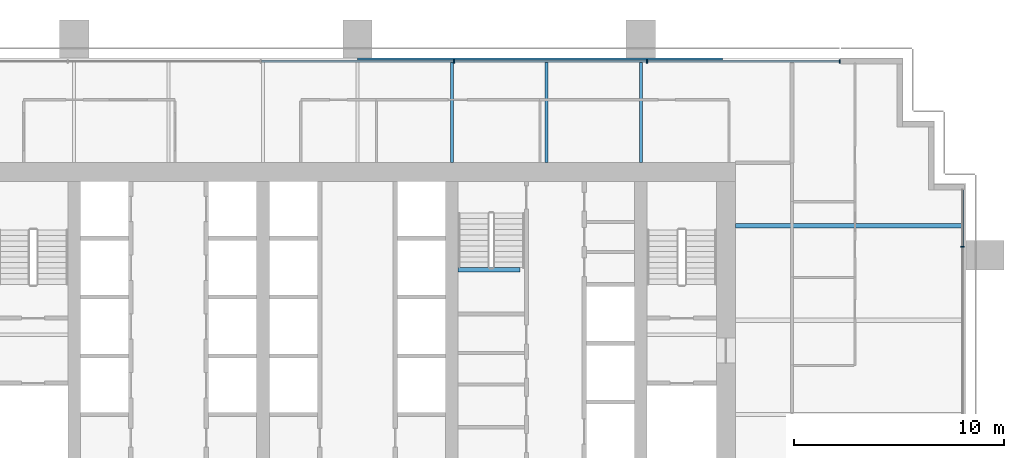
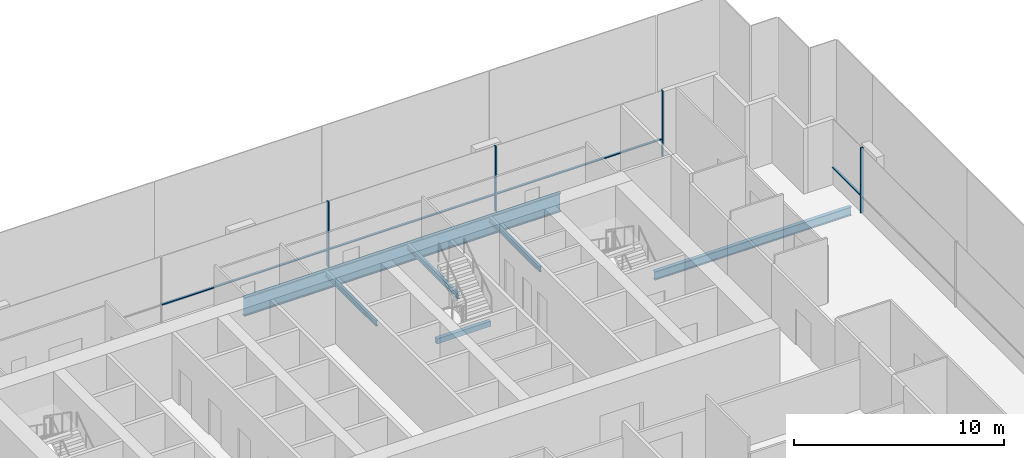
# One storey, part 8 of 17: 8 members, 6 beams, 2 elements without a shape of their own.
"""IFC4 building model written with IfcOpenShell, lengths in metres."""

from ifc_helpers import new_model, si_unit, direction, frame, origin, origin_2d, place, context, subcontext, project, spatial, rectangle, i_section, extrude, material, material_profile, profile_set, type_object, element, aggregate, save


model = new_model("IFC4")

# Units and contexts
model_context = context("Model", 3, precision=1e-05, world=origin(), true_north=direction((0.0, 1.0)))
body_context = subcontext(model_context, "Body", "Model", "MODEL_VIEW")
ifc_project = project(units=[si_unit("LENGTHUNIT", "METRE"), si_unit("AREAUNIT", "SQUARE_METRE"), si_unit("VOLUMEUNIT", "CUBIC_METRE"), si_unit("PLANEANGLEUNIT", "RADIAN"), si_unit("MASSUNIT", "GRAM", prefix="KILO")], contexts=[model_context])

# Site, building, storey
site_placement = place(None, origin())
site = spatial("IfcSite", under=ifc_project, at=site_placement, CompositionType="ELEMENT")
building_placement = place(site_placement, origin())
building = spatial("IfcBuilding", under=site, at=building_placement, Name="Rattan Terrace Tower", CompositionType="ELEMENT")
storey_placement = place(building_placement, frame((0.0, 0.0, 126.10009765625)))
storey = spatial("IfcBuildingStorey", under=building, at=storey_placement, Name="L28", CompositionType="ELEMENT", Elevation=126.10009765625)

# Beam
ifc_material_1 = material(Name="Concrete C40/50", Category="concrete")
ifc_material_profile_1 = material_profile(ifc_material_1, rectangle(XDim=0.199951171875, YDim=0.300048828125, at=origin_2d()), Name="RC 200x300")
ifc_profile_set_1 = profile_set([ifc_material_profile_1], Name="Concrete C40/50")
beam_type_1 = type_object("IfcBeamType", Name="Core landing beam RC 200x300", PredefinedType="BEAM", material=ifc_profile_set_1)
beam_1_placement = place(storey_placement, frame((4.800048828125, 2.39990234375, 1.64990234375), z_axis=(1.0, 0.0, 0.0), x_axis=(0.0, 1.0, 0.0)))
element("IfcBeam", 1, at=beam_1_placement, inside=storey, type_object=beam_type_1, Name="st-S3-L28 landing 1 edge beam", PredefinedType="BEAM", context=body_context, shape_type="SweptSolid", body=[
    extrude(rectangle(XDim=0.199951171875, YDim=0.300048828125, at=origin_2d()), origin(), (0.0, 0.0, 1.0), 2.949951171875),
])

# Curtain wall, member
ifc_material_2 = material(Name="Aluminium and glass", Category="aluminium")
curtain_wall_type = type_object("IfcCurtainWallType", Name="Facade Unitised Curtain Wall", PredefinedType="NOTDEFINED", material=ifc_material_2)
curtain_wall_1_placement = place(storey_placement, origin())
curtain_wall_1 = element("IfcCurtainWall", 2, at=curtain_wall_1_placement, inside=storey, type_object=curtain_wall_type, Name="Curtain wall L28-1", PredefinedType="NOTDEFINED")
ifc_material_3 = material(Name="Aluminium", Category="aluminium")
ifc_material_profile_2 = material_profile(ifc_material_3, rectangle(XDim=0.06005859375, YDim=0.159912109375, at=origin_2d()), Name="Aluminium 60x160")
ifc_profile_set_2 = profile_set([ifc_material_profile_2], Name="Aluminium")
member_type_1 = type_object("IfcMemberType", Name="Facade CW Mullion 60x160", PredefinedType="MULLION", material=ifc_profile_set_2)
member_1_placement = place(storey_placement, frame((28.830078125, 3.5, 0.0), z_axis=(0.0, 0.0, 1.0), x_axis=(0.0, 1.0, 0.0)))
member_1 = element("IfcMember", 3, at=member_1_placement, type_object=member_type_1, Name="Mullion cwl-L28-001.4", PredefinedType="MULLION", context=body_context, shape_type="SweptSolid", body=[
    extrude(rectangle(XDim=0.06005859375, YDim=0.159912109375, at=origin_2d()), origin(), (0.0, 0.0, 1.0), 3.7998046875),
])

# Curtain wall, members
curtain_wall_2_placement = place(storey_placement, origin())
curtain_wall_2 = element("IfcCurtainWall", 4, at=curtain_wall_2_placement, inside=storey, type_object=curtain_wall_type, Name="Curtain wall L28-2", PredefinedType="NOTDEFINED")
member_2_placement = place(storey_placement, frame((22.969970703125, 12.330078125, 0.0), z_axis=(0.0, 0.0, 1.0), x_axis=(-1.0, 0.0, 0.0)))
member_2 = element("IfcMember", 5, at=member_2_placement, type_object=member_type_1, Name="Mullion cwl-L28-002.1", PredefinedType="MULLION", context=body_context, shape_type="SweptSolid", body=[
    extrude(rectangle(XDim=0.06005859375, YDim=0.159912109375, at=origin_2d()), origin(), (0.0, 0.0, 1.0), 3.7998046875),
])
member_3_placement = place(storey_placement, frame((13.799072265625, 12.330078125, 0.0), z_axis=(0.0, 0.0, 1.0), x_axis=(-1.0, 0.0, 0.0)))
member_3 = element("IfcMember", 6, at=member_3_placement, type_object=member_type_1, Name="Mullion cwl-L28-002.2", PredefinedType="MULLION", context=body_context, shape_type="SweptSolid", body=[
    extrude(rectangle(XDim=0.06005859375, YDim=0.159912109375, at=origin_2d()), origin(), (0.0, 0.0, 1.0), 3.7998046875),
])
member_4_placement = place(storey_placement, frame((4.597900390625, 12.330078125, 0.0), z_axis=(0.0, 0.0, 1.0), x_axis=(-1.0, 0.0, 0.0)))
member_4 = element("IfcMember", 7, at=member_4_placement, type_object=member_type_1, Name="Mullion cwl-L28-002.3", PredefinedType="MULLION", context=body_context, shape_type="SweptSolid", body=[
    extrude(rectangle(XDim=0.06005859375, YDim=0.159912109375, at=origin_2d()), origin(), (0.0, 0.0, 1.0), 3.7998046875),
])

# Member
ifc_material_4 = material(Name="Aluminium", Category="aluminium")
ifc_material_profile_3 = material_profile(ifc_material_4, rectangle(XDim=0.1201171875, YDim=0.06005859375, at=origin_2d()), Name="Aluminium 120x60")
ifc_profile_set_3 = profile_set([ifc_material_profile_3], Name="Aluminium")
member_type_2 = type_object("IfcMemberType", Name="Facade CW Transom 120x60", PredefinedType="USERDEFINED", material=ifc_profile_set_3)
member_5_placement = place(storey_placement, frame((28.830078125, 3.530029296875, 1.0), z_axis=(0.0, 1.0, 0.0), x_axis=(-1.0, 0.0, 0.0)))
member_5 = element("IfcMember", 8, at=member_5_placement, type_object=member_type_2, Name="Transom cwl-L28-001.4", ObjectType="TRANSOM", PredefinedType="USERDEFINED", context=body_context, shape_type="SweptSolid", body=[
    extrude(rectangle(XDim=0.1201171875, YDim=0.06005859375, at=origin_2d()), origin(), (0.0, 0.0, 1.0), 2.675048828125),
])

aggregate(curtain_wall_1, [member_1, member_5])

member_6_placement = place(storey_placement, frame((22.93994140625, 12.330078125, 1.0), z_axis=(-1.0, 0.0, 0.0), x_axis=(0.0, -1.0, 0.0)))
member_6 = element("IfcMember", 9, at=member_6_placement, type_object=member_type_2, Name="Transom cwl-L28-002.1", ObjectType="TRANSOM", PredefinedType="USERDEFINED", context=body_context, shape_type="SweptSolid", body=[
    extrude(rectangle(XDim=0.1201171875, YDim=0.06005859375, at=origin_2d()), origin(), (0.0, 0.0, 1.0), 9.11083984375),
])

member_7_placement = place(storey_placement, frame((13.76904296875, 12.330078125, 1.0), z_axis=(-1.0, 0.0, 0.0), x_axis=(0.0, -1.0, 0.0)))
member_7 = element("IfcMember", 10, at=member_7_placement, type_object=member_type_2, Name="Transom cwl-L28-002.2", ObjectType="TRANSOM", PredefinedType="USERDEFINED", context=body_context, shape_type="SweptSolid", body=[
    extrude(rectangle(XDim=0.1201171875, YDim=0.06005859375, at=origin_2d()), origin(), (0.0, 0.0, 1.0), 9.14111328125),
])

member_8_placement = place(storey_placement, frame((4.568115234375, 12.330078125, 1.0), z_axis=(-1.0, 0.0, 0.0), x_axis=(0.0, -1.0, 0.0)))
member_8 = element("IfcMember", 11, at=member_8_placement, type_object=member_type_2, Name="Transom cwl-L28-002.3", ObjectType="TRANSOM", PredefinedType="USERDEFINED", context=body_context, shape_type="SweptSolid", body=[
    extrude(rectangle(XDim=0.1201171875, YDim=0.06005859375, at=origin_2d()), origin(), (0.0, 0.0, 1.0), 9.14111328125),
])

aggregate(curtain_wall_2, [member_2, member_3, member_4, member_6, member_7, member_8])

# Beams
ifc_material_5 = material(Name="Steel S460", Category="steel")
ifc_material_profile_4 = material_profile(ifc_material_5, i_section(OverallWidth=0.179931640625, OverallDepth=1.10009765625, WebThickness=0.01611328125, FlangeThickness=0.050048828125, at=origin_2d()), Name="PG 1100x180-16-50")
ifc_profile_set_4 = profile_set([ifc_material_profile_4], Name="Steel S460")
beam_type_2 = type_object("IfcBeamType", Name="Frame edge girder PG 1100x180-16-50", PredefinedType="SPANDREL", material=ifc_profile_set_4)
beam_2_placement = place(storey_placement, frame((17.39990234375, 12.409912109375, -0.75), z_axis=(-1.0, 0.0, 0.0), x_axis=(0.0, -1.0, 0.0)))
element("IfcBeam", 12, at=beam_2_placement, inside=storey, type_object=beam_type_2, Name="gdr-L28-006", PredefinedType="SPANDREL", context=body_context, shape_type="SweptSolid", body=[
    extrude(i_section(OverallWidth=0.179931640625, OverallDepth=1.10009765625, WebThickness=0.01611328125, FlangeThickness=0.050048828125, at=origin_2d()), origin(), (0.0, 0.0, 1.0), 17.39990234375),
])
ifc_material_6 = material(Name="Steel S355", Category="steel")
ifc_material_profile_5 = material_profile(ifc_material_6, i_section(OverallWidth=0.14990234375, OverallDepth=0.300048828125, WebThickness=0.007080078125, FlangeThickness=0.0107421875, FilletRadius=0.014892578125, at=origin_2d()), Name="IPE 300")
ifc_profile_set_5 = profile_set([ifc_material_profile_5], Name="Steel S355")
beam_type_3 = type_object("IfcBeamType", Name="Frame floor beam IPE 300", PredefinedType="JOIST", material=ifc_profile_set_5)
for number, where, z_axis, x_axis, name in (
    (13, (4.5, 7.5, -0.35009765625), (0.0, 1.0, 0.0), (-1.0, 0.0, 0.0), "bm-L28-020"),
    (14, (9.0, 7.5, -0.35009765625), (0.0, 1.0, 0.0), (-1.0, 0.0, 0.0), "bm-L28-021"),
    (15, (13.5, 7.5, -0.35009765625), (0.0, 1.0, 0.0), (-1.0, 0.0, 0.0), "bm-L28-022"),
):
    element("IfcBeam", number, at=place(storey_placement, frame(where, z_axis=z_axis, x_axis=x_axis)), inside=storey, type_object=beam_type_3, Name=name, PredefinedType="JOIST", context=body_context, shape_type="SweptSolid", body=[
        extrude(i_section(OverallWidth=0.14990234375, OverallDepth=0.300048828125, WebThickness=0.007080078125, FlangeThickness=0.0107421875, FilletRadius=0.014892578125, at=origin_2d()), origin(), (0.0, 0.0, 1.0), 4.820068359375),
    ])
ifc_material_7 = material(Name="Steel S355", Category="steel")
ifc_material_profile_6 = material_profile(ifc_material_7, i_section(OverallWidth=0.199951171875, OverallDepth=0.5, WebThickness=0.01025390625, FlangeThickness=0.01611328125, FilletRadius=0.02099609375, at=origin_2d()), Name="IPE 500")
ifc_profile_set_6 = profile_set([ifc_material_profile_6], Name="Steel S355")
beam_type_4 = type_object("IfcBeamType", Name="Frame floor beam IPE 500", PredefinedType="JOIST", material=ifc_profile_set_6)
beam_3_placement = place(storey_placement, frame((18.0, 4.5, -0.4501953125), z_axis=(1.0, 0.0, 0.0), x_axis=(0.0, 1.0, 0.0)))
element("IfcBeam", 16, at=beam_3_placement, inside=storey, type_object=beam_type_4, Name="bm-L28-015", PredefinedType="JOIST", context=body_context, shape_type="SweptSolid", body=[
    extrude(i_section(OverallWidth=0.199951171875, OverallDepth=0.5, WebThickness=0.01025390625, FlangeThickness=0.01611328125, FilletRadius=0.02099609375, at=origin_2d()), origin(), (0.0, 0.0, 1.0), 10.820068359375),
])

save(model, "model.ifc")
